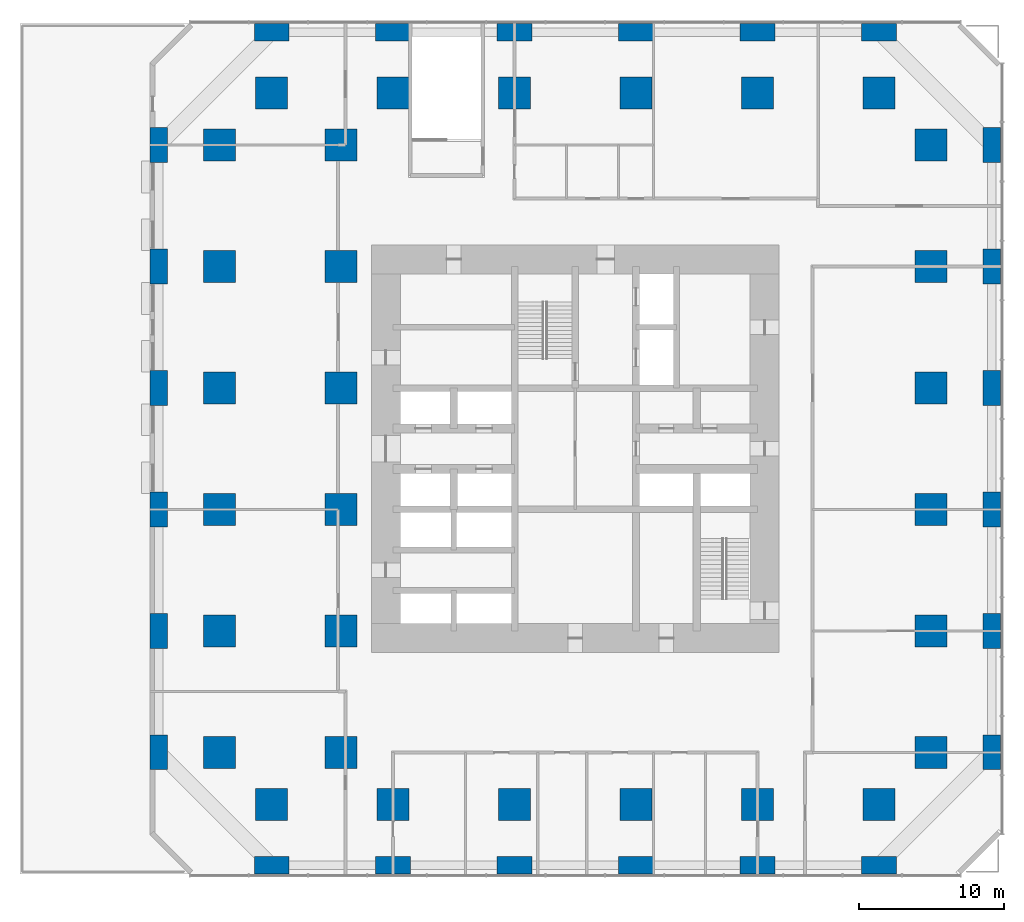
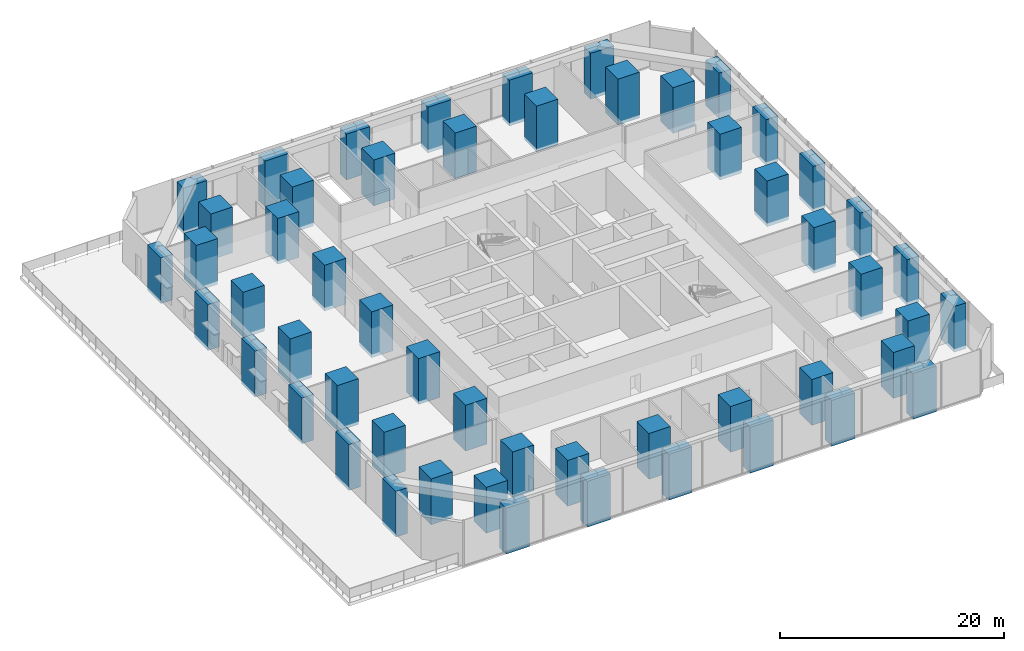
# One storey, part 1 of 12: 54 columns.
"""IFC4 building model written with IfcOpenShell, lengths in metres."""

from ifc_helpers import new_model, si_unit, direction, frame, origin, origin_2d, place, context, subcontext, project, spatial, rectangle, extrude, material, material_profile, profile_set, type_object, element, save


model = new_model("IFC4")

# Units and contexts
model_context = context("Model", 3, precision=1e-05, world=origin(), true_north=direction((0.0, 1.0)))
body_context = subcontext(model_context, "Body", "Model", "MODEL_VIEW")
ifc_project = project(units=[si_unit("LENGTHUNIT", "METRE"), si_unit("AREAUNIT", "SQUARE_METRE"), si_unit("VOLUMEUNIT", "CUBIC_METRE"), si_unit("PLANEANGLEUNIT", "RADIAN"), si_unit("MASSUNIT", "GRAM", prefix="KILO")], contexts=[model_context])

# Site, building, storey
site_placement = place(None, origin())
site = spatial("IfcSite", under=ifc_project, at=site_placement, CompositionType="ELEMENT")
building_placement = place(site_placement, origin())
building = spatial("IfcBuilding", under=site, at=building_placement, Name="Dunama Terrace Hotel", CompositionType="ELEMENT")
storey_placement = place(building_placement, frame((0.0, 0.0, 22.0)))
storey = spatial("IfcBuildingStorey", under=building, at=storey_placement, Name="L04", CompositionType="ELEMENT", Elevation=22.0)

# Columns
ifc_material_1 = material(Name="Concrete C60/75", Category="concrete")
ifc_material_profile_1 = material_profile(ifc_material_1, rectangle(XDim=1.199951171875, YDim=2.39990234375, at=origin_2d()), Name="RC 1200x2400")
ifc_profile_set_1 = profile_set([ifc_material_profile_1], Name="Concrete C60/75")
column_type_1 = type_object("IfcColumnType", Name="Column RC 1200x2400", PredefinedType="COLUMN", material=ifc_profile_set_1)
for number, where, z_axis, x_axis, name in (
    (1, (0.60009765625, 8.39990234375, -0.35009765625), (0.0, 0.0, 1.0), (1.0, 0.0, 0.0), "Column L04 +0.6/+8.4"),
    (2, (0.60009765625, 16.800048828125, -0.35009765625), (0.0, 0.0, 1.0), (1.0, 0.0, 0.0), "Column L04 +0.6/+16.8"),
    (3, (0.60009765625, 25.199951171875, -0.35009765625), (0.0, 0.0, 1.0), (1.0, 0.0, 0.0), "Column L04 +0.6/+25.2"),
    (4, (0.60009765625, 33.60009765625, -0.35009765625), (0.0, 0.0, 1.0), (1.0, 0.0, 0.0), "Column L04 +0.6/+33.6"),
    (5, (0.60009765625, 42.0, -0.35009765625), (0.0, 0.0, 1.0), (1.0, 0.0, 0.0), "Column L04 +0.6/+42.0"),
    (6, (0.60009765625, 50.39990234375, -0.35009765625), (0.0, 0.0, 1.0), (1.0, 0.0, 0.0), "Column L04 +0.6/+50.4"),
    (7, (58.199951171875, 8.39990234375, -0.35009765625), (0.0, 0.0, 1.0), (1.0, 0.0, 0.0), "Column L04 +58.2/+8.4"),
    (8, (58.199951171875, 16.800048828125, -0.35009765625), (0.0, 0.0, 1.0), (1.0, 0.0, 0.0), "Column L04 +58.2/+16.8"),
    (9, (58.199951171875, 25.199951171875, -0.35009765625), (0.0, 0.0, 1.0), (1.0, 0.0, 0.0), "Column L04 +58.2/+25.2"),
    (10, (58.199951171875, 33.60009765625, -0.35009765625), (0.0, 0.0, 1.0), (1.0, 0.0, 0.0), "Column L04 +58.2/+33.6"),
    (11, (58.199951171875, 42.0, -0.35009765625), (0.0, 0.0, 1.0), (1.0, 0.0, 0.0), "Column L04 +58.2/+42.0"),
    (12, (58.199951171875, 50.39990234375, -0.35009765625), (0.0, 0.0, 1.0), (1.0, 0.0, 0.0), "Column L04 +58.2/+50.4"),
):
    element("IfcColumn", number, at=place(storey_placement, frame(where, z_axis=z_axis, x_axis=x_axis)), inside=storey, type_object=column_type_1, Name=name, PredefinedType="COLUMN", context=body_context, shape_type="SweptSolid", body=[
        extrude(rectangle(XDim=1.199951171875, YDim=2.39990234375, at=origin_2d()), origin(), (0.0, 0.0, 1.0), 5.0),
    ])
ifc_material_2 = material(Name="Concrete C60/75", Category="concrete")
ifc_material_profile_2 = material_profile(ifc_material_2, rectangle(XDim=2.199951171875, YDim=2.199951171875, at=origin_2d()), Name="RC 2200x2200")
ifc_profile_set_2 = profile_set([ifc_material_profile_2], Name="Concrete C60/75")
column_type_2 = type_object("IfcColumnType", Name="Column RC 2200x2200", PredefinedType="COLUMN", material=ifc_profile_set_2)
for number, where, z_axis, x_axis, name in (
    (13, (4.800048828125, 8.39990234375, -0.35009765625), (0.0, 0.0, 1.0), (1.0, 0.0, 0.0), "Column L04 +4.8/+8.4"),
    (14, (4.800048828125, 16.800048828125, -0.35009765625), (0.0, 0.0, 1.0), (1.0, 0.0, 0.0), "Column L04 +4.8/+16.8"),
    (15, (4.800048828125, 25.199951171875, -0.35009765625), (0.0, 0.0, 1.0), (1.0, 0.0, 0.0), "Column L04 +4.8/+25.2"),
    (16, (4.800048828125, 33.60009765625, -0.35009765625), (0.0, 0.0, 1.0), (1.0, 0.0, 0.0), "Column L04 +4.8/+33.6"),
    (17, (4.800048828125, 42.0, -0.35009765625), (0.0, 0.0, 1.0), (1.0, 0.0, 0.0), "Column L04 +4.8/+42.0"),
    (18, (4.800048828125, 50.39990234375, -0.35009765625), (0.0, 0.0, 1.0), (1.0, 0.0, 0.0), "Column L04 +4.8/+50.4"),
    (19, (8.39990234375, 4.800048828125, -0.35009765625), (0.0, 0.0, 1.0), (1.0, 0.0, 0.0), "Column L04 +8.4/+4.8"),
    (20, (8.39990234375, 54.0, -0.35009765625), (0.0, 0.0, 1.0), (1.0, 0.0, 0.0), "Column L04 +8.4/+54.0"),
    (21, (13.199951171875, 8.39990234375, -0.35009765625), (0.0, 0.0, 1.0), (1.0, 0.0, 0.0), "Column L04 +13.2/+8.4"),
    (22, (13.199951171875, 16.800048828125, -0.35009765625), (0.0, 0.0, 1.0), (1.0, 0.0, 0.0), "Column L04 +13.2/+16.8"),
    (23, (13.199951171875, 25.199951171875, -0.35009765625), (0.0, 0.0, 1.0), (1.0, 0.0, 0.0), "Column L04 +13.2/+25.2"),
    (24, (13.199951171875, 33.60009765625, -0.35009765625), (0.0, 0.0, 1.0), (1.0, 0.0, 0.0), "Column L04 +13.2/+33.6"),
    (25, (13.199951171875, 42.0, -0.35009765625), (0.0, 0.0, 1.0), (1.0, 0.0, 0.0), "Column L04 +13.2/+42.0"),
    (26, (13.199951171875, 50.39990234375, -0.35009765625), (0.0, 0.0, 1.0), (1.0, 0.0, 0.0), "Column L04 +13.2/+50.4"),
    (27, (16.800048828125, 4.800048828125, -0.35009765625), (0.0, 0.0, 1.0), (1.0, 0.0, 0.0), "Column L04 +16.8/+4.8"),
    (28, (16.800048828125, 54.0, -0.35009765625), (0.0, 0.0, 1.0), (1.0, 0.0, 0.0), "Column L04 +16.8/+54.0"),
    (29, (25.199951171875, 4.800048828125, -0.35009765625), (0.0, 0.0, 1.0), (1.0, 0.0, 0.0), "Column L04 +25.2/+4.8"),
    (30, (25.199951171875, 54.0, -0.35009765625), (0.0, 0.0, 1.0), (1.0, 0.0, 0.0), "Column L04 +25.2/+54.0"),
    (31, (33.60009765625, 4.800048828125, -0.35009765625), (0.0, 0.0, 1.0), (1.0, 0.0, 0.0), "Column L04 +33.6/+4.8"),
    (32, (33.60009765625, 54.0, -0.35009765625), (0.0, 0.0, 1.0), (1.0, 0.0, 0.0), "Column L04 +33.6/+54.0"),
    (33, (42.0, 4.800048828125, -0.35009765625), (0.0, 0.0, 1.0), (1.0, 0.0, 0.0), "Column L04 +42.0/+4.8"),
    (34, (42.0, 54.0, -0.35009765625), (0.0, 0.0, 1.0), (1.0, 0.0, 0.0), "Column L04 +42.0/+54.0"),
    (35, (50.39990234375, 4.800048828125, -0.35009765625), (0.0, 0.0, 1.0), (1.0, 0.0, 0.0), "Column L04 +50.4/+4.8"),
    (36, (50.39990234375, 54.0, -0.35009765625), (0.0, 0.0, 1.0), (1.0, 0.0, 0.0), "Column L04 +50.4/+54.0"),
    (37, (54.0, 8.39990234375, -0.35009765625), (0.0, 0.0, 1.0), (1.0, 0.0, 0.0), "Column L04 +54.0/+8.4"),
    (38, (54.0, 16.800048828125, -0.35009765625), (0.0, 0.0, 1.0), (1.0, 0.0, 0.0), "Column L04 +54.0/+16.8"),
    (39, (54.0, 25.199951171875, -0.35009765625), (0.0, 0.0, 1.0), (1.0, 0.0, 0.0), "Column L04 +54.0/+25.2"),
    (40, (54.0, 33.60009765625, -0.35009765625), (0.0, 0.0, 1.0), (1.0, 0.0, 0.0), "Column L04 +54.0/+33.6"),
    (41, (54.0, 42.0, -0.35009765625), (0.0, 0.0, 1.0), (1.0, 0.0, 0.0), "Column L04 +54.0/+42.0"),
    (42, (54.0, 50.39990234375, -0.35009765625), (0.0, 0.0, 1.0), (1.0, 0.0, 0.0), "Column L04 +54.0/+50.4"),
):
    element("IfcColumn", number, at=place(storey_placement, frame(where, z_axis=z_axis, x_axis=x_axis)), inside=storey, type_object=column_type_2, Name=name, PredefinedType="COLUMN", context=body_context, shape_type="SweptSolid", body=[
        extrude(rectangle(XDim=2.199951171875, YDim=2.199951171875, at=origin_2d()), origin(), (0.0, 0.0, 1.0), 5.0),
    ])
ifc_material_3 = material(Name="Concrete C60/75", Category="concrete")
ifc_material_profile_3 = material_profile(ifc_material_3, rectangle(XDim=2.39990234375, YDim=1.199951171875, at=origin_2d()), Name="RC 2400x1200")
ifc_profile_set_3 = profile_set([ifc_material_profile_3], Name="Concrete C60/75")
column_type_3 = type_object("IfcColumnType", Name="Column RC 2400x1200", PredefinedType="COLUMN", material=ifc_profile_set_3)
for number, where, z_axis, x_axis, name in (
    (43, (8.39990234375, 0.60009765625, -0.35009765625), (0.0, 0.0, 1.0), (1.0, 0.0, 0.0), "Column L04 +8.4/+0.6"),
    (44, (8.39990234375, 58.199951171875, -0.35009765625), (0.0, 0.0, 1.0), (1.0, 0.0, 0.0), "Column L04 +8.4/+58.2"),
    (45, (16.800048828125, 0.60009765625, -0.35009765625), (0.0, 0.0, 1.0), (1.0, 0.0, 0.0), "Column L04 +16.8/+0.6"),
    (46, (16.800048828125, 58.199951171875, -0.35009765625), (0.0, 0.0, 1.0), (1.0, 0.0, 0.0), "Column L04 +16.8/+58.2"),
    (47, (25.199951171875, 0.60009765625, -0.35009765625), (0.0, 0.0, 1.0), (1.0, 0.0, 0.0), "Column L04 +25.2/+0.6"),
    (48, (25.199951171875, 58.199951171875, -0.35009765625), (0.0, 0.0, 1.0), (1.0, 0.0, 0.0), "Column L04 +25.2/+58.2"),
    (49, (33.60009765625, 0.60009765625, -0.35009765625), (0.0, 0.0, 1.0), (1.0, 0.0, 0.0), "Column L04 +33.6/+0.6"),
    (50, (33.60009765625, 58.199951171875, -0.35009765625), (0.0, 0.0, 1.0), (1.0, 0.0, 0.0), "Column L04 +33.6/+58.2"),
    (51, (42.0, 0.60009765625, -0.35009765625), (0.0, 0.0, 1.0), (1.0, 0.0, 0.0), "Column L04 +42.0/+0.6"),
    (52, (42.0, 58.199951171875, -0.35009765625), (0.0, 0.0, 1.0), (1.0, 0.0, 0.0), "Column L04 +42.0/+58.2"),
    (53, (50.39990234375, 0.60009765625, -0.35009765625), (0.0, 0.0, 1.0), (1.0, 0.0, 0.0), "Column L04 +50.4/+0.6"),
    (54, (50.39990234375, 58.199951171875, -0.35009765625), (0.0, 0.0, 1.0), (1.0, 0.0, 0.0), "Column L04 +50.4/+58.2"),
):
    element("IfcColumn", number, at=place(storey_placement, frame(where, z_axis=z_axis, x_axis=x_axis)), inside=storey, type_object=column_type_3, Name=name, PredefinedType="COLUMN", context=body_context, shape_type="SweptSolid", body=[
        extrude(rectangle(XDim=2.39990234375, YDim=1.199951171875, at=origin_2d()), origin(), (0.0, 0.0, 1.0), 5.0),
    ])

save(model, "model.ifc")
